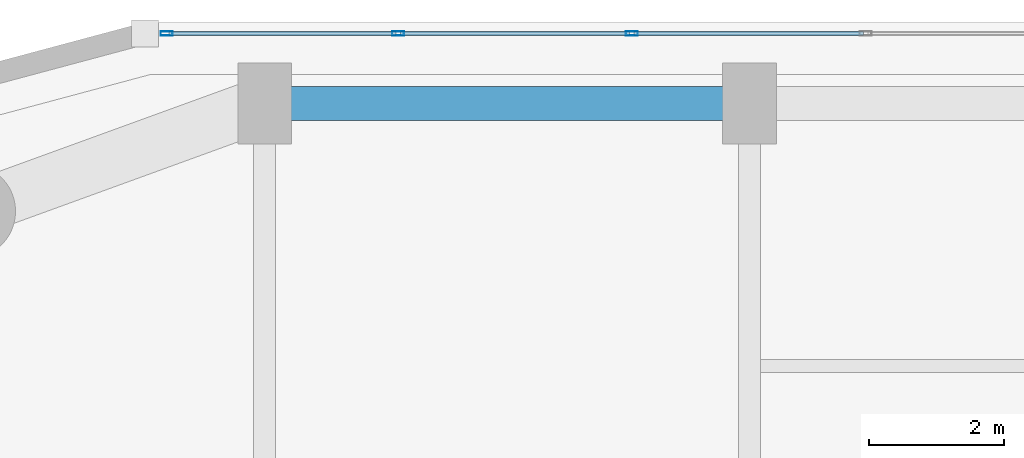
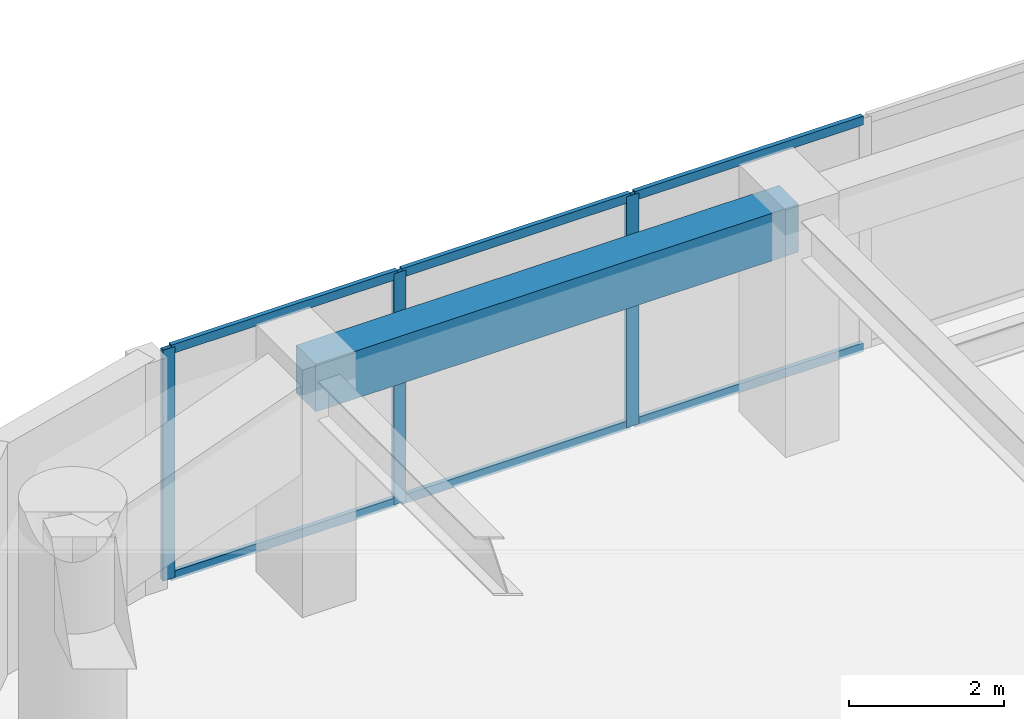
# One storey, part 13 of 24: 9 members, 1 beam, 1 element without a shape of its own.
"""IFC4 building model written with IfcOpenShell, lengths in metres."""

from ifc_helpers import new_model, si_unit, direction, frame, origin, origin_2d, place, context, subcontext, project, spatial, rectangle, hollow_rectangle, extrude, material, layer, layer_set, material_profile, profile_set, type_object, element, aggregate, save


model = new_model("IFC4")

# Units and contexts
model_context = context("Model", 3, precision=1e-05, world=origin(), true_north=direction((0.0, 1.0)))
body_context = subcontext(model_context, "Body", "Model", "MODEL_VIEW")
ifc_project = project(units=[si_unit("LENGTHUNIT", "METRE"), si_unit("AREAUNIT", "SQUARE_METRE"), si_unit("VOLUMEUNIT", "CUBIC_METRE"), si_unit("PLANEANGLEUNIT", "RADIAN"), si_unit("MASSUNIT", "GRAM", prefix="KILO")], contexts=[model_context])

# Site, building, storey
site_placement = place(None, origin())
site = spatial("IfcSite", under=ifc_project, at=site_placement, CompositionType="ELEMENT")
building_placement = place(site_placement, origin())
building = spatial("IfcBuilding", under=site, at=building_placement, Name="Kiyonajd Concourse Tower", CompositionType="ELEMENT")
storey_placement = place(building_placement, frame((0.0, 0.0, 129.89990234375)))
storey = spatial("IfcBuildingStorey", under=building, at=storey_placement, Name="L33", CompositionType="ELEMENT", Elevation=129.89990234375)

# Beam
ifc_material_1 = material(Name="Precast concrete C50/60", Category="concrete")
ifc_material_profile_1 = material_profile(ifc_material_1, rectangle(XDim=0.5, YDim=0.75, at=origin_2d()), Name="RCBM-500x750")
ifc_profile_set_1 = profile_set([ifc_material_profile_1], Name="Precast concrete C50/60")
beam_type = type_object("IfcBeamType", Name="BM-SPAN-RC", PredefinedType="SPANDREL", material=ifc_profile_set_1)
beam_placement = place(storey_placement, frame((32.39990234375, 61.199951171875, 3.26513671875), z_axis=(-1.0, 0.0, 0.0), x_axis=(0.0, -1.0, 0.0)))
element("IfcBeam", 1, at=beam_placement, inside=storey, type_object=beam_type, Name="L33 Perimeter Bundled Tube Spandrel", PredefinedType="SPANDREL", context=body_context, shape_type="SweptSolid", body=[
    extrude(rectangle(XDim=0.5, YDim=0.75, at=origin_2d()), origin(), (0.0, 0.0, 1.0), 7.199951171875),
])

# Curtain wall, members
ifc_material_2 = material(Name="Thermally Broken Anodised Aluminium", Category="aluminium")
ifc_layer = layer(ifc_material_2, 0.179931640625)
ifc_layer_set = layer_set([ifc_layer], Name="Thermally Broken Anodised Aluminium")
curtain_wall_type = type_object("IfcCurtainWallType", Name="CW-SYS-03", PredefinedType="NOTDEFINED", material=ifc_layer_set)
curtain_wall_placement = place(storey_placement, origin())
curtain_wall = element("IfcCurtainWall", 2, at=curtain_wall_placement, inside=storey, type_object=curtain_wall_type, Name="L33 Unitised Curtain Wall CW3", PredefinedType="NOTDEFINED")
ifc_material_profile_2 = material_profile(ifc_material_2, hollow_rectangle(XDim=0.06494140625, YDim=0.179931640625, WallThickness=0.00390625, at=origin_2d()), Name="MULL-65x180")
ifc_profile_set_2 = profile_set([ifc_material_profile_2], Name="Thermally Broken Anodised Aluminium")
member_type_1 = type_object("IfcMemberType", Name="MB-CW-MULL1", PredefinedType="MULLION", material=ifc_profile_set_2)
member_1_placement = place(storey_placement, frame((23.74365234375, 62.239990234375, 0.0), z_axis=(0.0, 0.0, 1.0), x_axis=(0.0, 1.0, 0.0)))
member_1 = element("IfcMember", 3, at=member_1_placement, type_object=member_type_1, Name="CW3 mullion 1", PredefinedType="MULLION", context=body_context, shape_type="SweptSolid", body=[
    extrude(hollow_rectangle(XDim=0.06494140625, YDim=0.179931640625, WallThickness=0.00390625, at=origin_2d()), origin(), (0.0, 0.0, 1.0), 3.64013671875),
])
member_2_placement = place(storey_placement, frame((27.181884765625, 62.239990234375, 0.0), z_axis=(0.0, 0.0, 1.0), x_axis=(0.0, 1.0, 0.0)))
member_2 = element("IfcMember", 4, at=member_2_placement, type_object=member_type_1, Name="CW3 mullion 2", PredefinedType="MULLION", context=body_context, shape_type="SweptSolid", body=[
    extrude(hollow_rectangle(XDim=0.06494140625, YDim=0.179931640625, WallThickness=0.00390625, at=origin_2d()), origin(), (0.0, 0.0, 1.0), 3.64013671875),
])
member_3_placement = place(storey_placement, frame((30.652587890625, 62.239990234375, 0.0), z_axis=(0.0, 0.0, 1.0), x_axis=(0.0, 1.0, 0.0)))
member_3 = element("IfcMember", 5, at=member_3_placement, type_object=member_type_1, Name="CW3 mullion 3", PredefinedType="MULLION", context=body_context, shape_type="SweptSolid", body=[
    extrude(hollow_rectangle(XDim=0.06494140625, YDim=0.179931640625, WallThickness=0.00390625, at=origin_2d()), origin(), (0.0, 0.0, 1.0), 3.64013671875),
])
ifc_material_profile_3 = material_profile(ifc_material_2, hollow_rectangle(XDim=0.06494140625, YDim=0.139892578125, WallThickness=0.00390625, at=origin_2d()), Name="TRAN-65x140")
ifc_profile_set_3 = profile_set([ifc_material_profile_3], Name="Thermally Broken Anodised Aluminium")
member_type_2 = type_object("IfcMemberType", Name="MB-CW-TRAN1", PredefinedType="USERDEFINED", material=ifc_profile_set_3)
member_4_placement = place(storey_placement, frame((23.776123046875, 62.239990234375, 0.03271484375), z_axis=(1.0, 0.0, 0.0), x_axis=(0.0, 1.0, 0.0)))
member_4 = element("IfcMember", 6, at=member_4_placement, type_object=member_type_2, Name="CW3 transom 1.1", ObjectType="TRANSOM", PredefinedType="USERDEFINED", context=body_context, shape_type="SweptSolid", body=[
    extrude(hollow_rectangle(XDim=0.06494140625, YDim=0.139892578125, WallThickness=0.00390625, at=origin_2d()), origin(), (0.0, 0.0, 1.0), 3.373291015625),
])
member_5_placement = place(storey_placement, frame((23.776123046875, 62.239990234375, 3.607666015625), z_axis=(1.0, 0.0, 0.0), x_axis=(0.0, 1.0, 0.0)))
member_5 = element("IfcMember", 7, at=member_5_placement, type_object=member_type_2, Name="CW3 transom 1.2", ObjectType="TRANSOM", PredefinedType="USERDEFINED", context=body_context, shape_type="SweptSolid", body=[
    extrude(hollow_rectangle(XDim=0.06494140625, YDim=0.139892578125, WallThickness=0.00390625, at=origin_2d()), origin(), (0.0, 0.0, 1.0), 3.373291015625),
])
member_6_placement = place(storey_placement, frame((27.21435546875, 62.239990234375, 0.03271484375), z_axis=(1.0, 0.0, 0.0), x_axis=(0.0, 1.0, 0.0)))
member_6 = element("IfcMember", 8, at=member_6_placement, type_object=member_type_2, Name="CW3 transom 2.1", ObjectType="TRANSOM", PredefinedType="USERDEFINED", context=body_context, shape_type="SweptSolid", body=[
    extrude(hollow_rectangle(XDim=0.06494140625, YDim=0.139892578125, WallThickness=0.00390625, at=origin_2d()), origin(), (0.0, 0.0, 1.0), 3.40576171875),
])
member_7_placement = place(storey_placement, frame((27.21435546875, 62.239990234375, 3.607666015625), z_axis=(1.0, 0.0, 0.0), x_axis=(0.0, 1.0, 0.0)))
member_7 = element("IfcMember", 9, at=member_7_placement, type_object=member_type_2, Name="CW3 transom 2.2", ObjectType="TRANSOM", PredefinedType="USERDEFINED", context=body_context, shape_type="SweptSolid", body=[
    extrude(hollow_rectangle(XDim=0.06494140625, YDim=0.139892578125, WallThickness=0.00390625, at=origin_2d()), origin(), (0.0, 0.0, 1.0), 3.40576171875),
])
member_8_placement = place(storey_placement, frame((30.68505859375, 62.239990234375, 0.03271484375), z_axis=(1.0, 0.0, 0.0), x_axis=(0.0, 1.0, 0.0)))
member_8 = element("IfcMember", 10, at=member_8_placement, type_object=member_type_2, Name="CW3 transom 3.1", ObjectType="TRANSOM", PredefinedType="USERDEFINED", context=body_context, shape_type="SweptSolid", body=[
    extrude(hollow_rectangle(XDim=0.06494140625, YDim=0.139892578125, WallThickness=0.00390625, at=origin_2d()), origin(), (0.0, 0.0, 1.0), 3.40576171875),
])
member_9_placement = place(storey_placement, frame((30.68505859375, 62.239990234375, 3.607666015625), z_axis=(1.0, 0.0, 0.0), x_axis=(0.0, 1.0, 0.0)))
member_9 = element("IfcMember", 11, at=member_9_placement, type_object=member_type_2, Name="CW3 transom 3.2", ObjectType="TRANSOM", PredefinedType="USERDEFINED", context=body_context, shape_type="SweptSolid", body=[
    extrude(hollow_rectangle(XDim=0.06494140625, YDim=0.139892578125, WallThickness=0.00390625, at=origin_2d()), origin(), (0.0, 0.0, 1.0), 3.40576171875),
])
aggregate(curtain_wall, [member_1, member_2, member_3, member_4, member_5, member_6, member_7, member_8, member_9])

save(model, "model.ifc")
